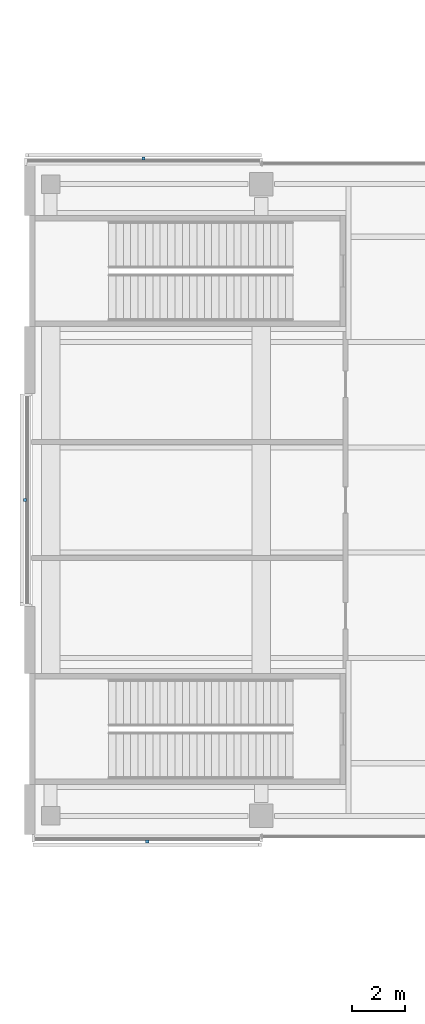
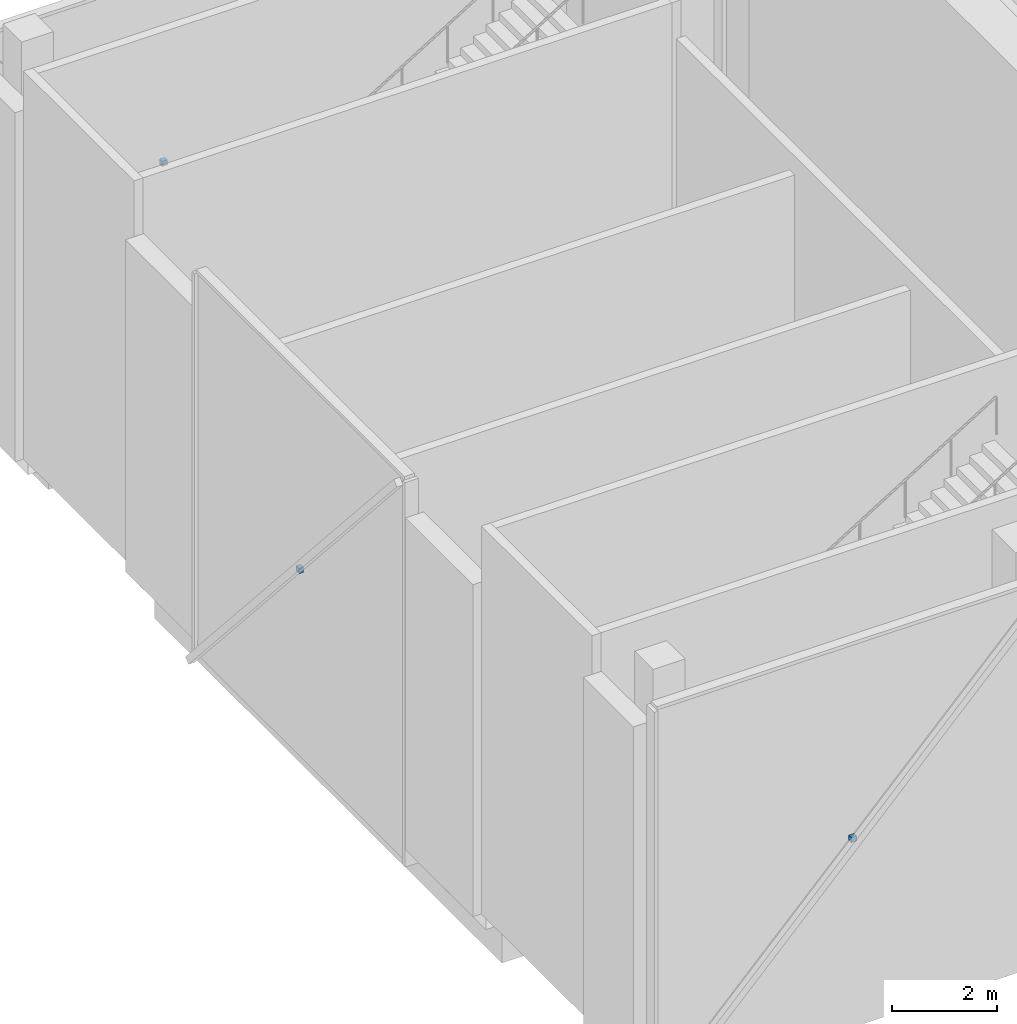
# One storey, part 22 of 26: 3 discrete accessories.
"""IFC4 building model written with IfcOpenShell, lengths in metres."""

from ifc_helpers import new_model, si_unit, direction, frame, origin, origin_2d, place, context, subcontext, project, spatial, rectangle, extrude, material, type_object, element, save


model = new_model("IFC4")

# Units and contexts
model_context = context("Model", 3, precision=1e-05, world=origin(), true_north=direction((0.0, 1.0)))
body_context = subcontext(model_context, "Body", "Model", "MODEL_VIEW")
ifc_project = project(units=[si_unit("LENGTHUNIT", "METRE"), si_unit("AREAUNIT", "SQUARE_METRE"), si_unit("VOLUMEUNIT", "CUBIC_METRE"), si_unit("PLANEANGLEUNIT", "RADIAN"), si_unit("MASSUNIT", "GRAM", prefix="KILO")], contexts=[model_context])

# Site, building, storey
site_placement = place(None, origin())
site = spatial("IfcSite", under=ifc_project, at=site_placement, CompositionType="ELEMENT")
building_placement = place(site_placement, origin())
building = spatial("IfcBuilding", under=site, at=building_placement, Name="Crosswind Convention Tower", CompositionType="ELEMENT")
storey_placement = place(building_placement, frame((0.0, 0.0, 25.0)))
storey = spatial("IfcBuildingStorey", under=building, at=storey_placement, Name="L03", CompositionType="ELEMENT", Elevation=25.0)

# Discrete accessories
ifc_material = material(Name="Stainless steel", Category="steel")
discrete_accessory_type = type_object("IfcDiscreteAccessoryType", Name="BAGUETTE BRACKET BK1", PredefinedType="BRACKET", material=ifc_material)
for number, where, z_axis, x_axis, name in (
    (1, (84.527587890625, 112.97412109375, 4.0), (0.0, 0.0, 1.0), (-1.0, 0.0, 0.0), "BK1 baguette bracket"),
    (2, (80.02587890625, 100.0, 4.0), (0.0, 0.0, 1.0), (0.0, -1.0, 0.0), "BK1 baguette bracket"),
    (3, (84.669921875, 87.02587890625, 4.0), (0.0, 0.0, 1.0), (1.0, 0.0, 0.0), "BK1 baguette bracket"),
):
    element("IfcDiscreteAccessory", number, at=place(storey_placement, frame(where, z_axis=z_axis, x_axis=x_axis)), inside=storey, type_object=discrete_accessory_type, Name=name, PredefinedType="BRACKET", context=body_context, shape_type="SweptSolid", body=[
        extrude(rectangle(XDim=0.1201171875, YDim=0.10009765625, at=origin_2d()), origin(), (0.0, 0.0, 1.0), 0.1201171875),
    ])

save(model, "model.ifc")
